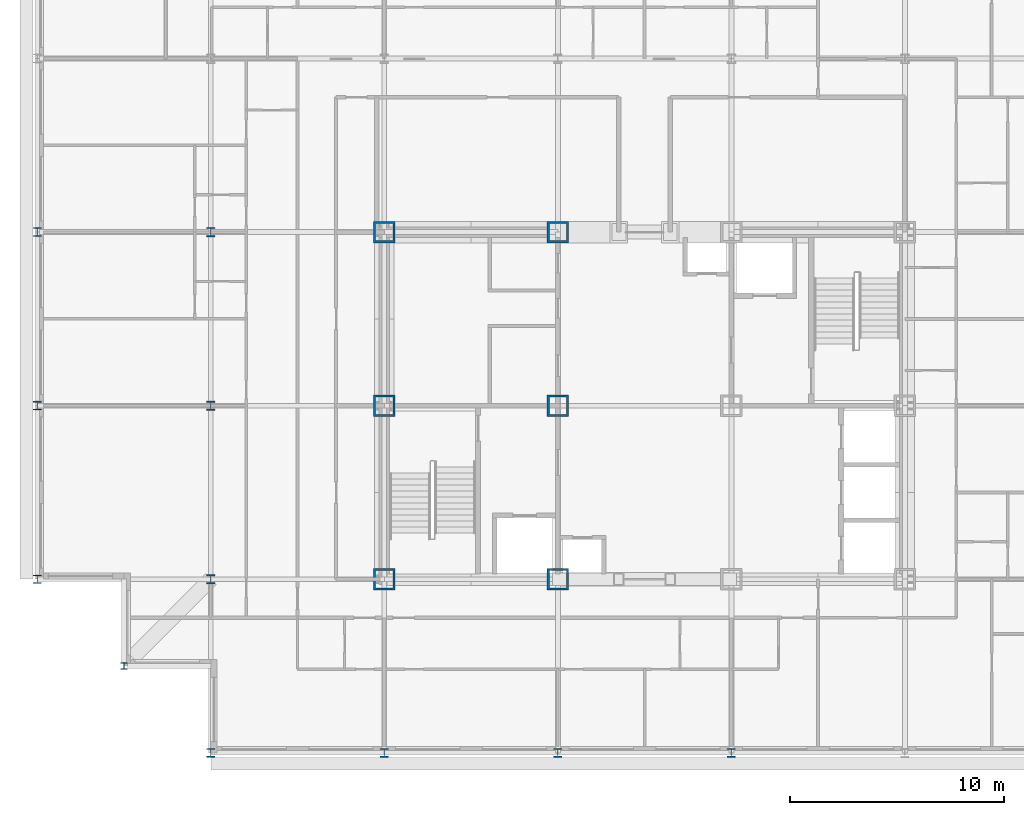
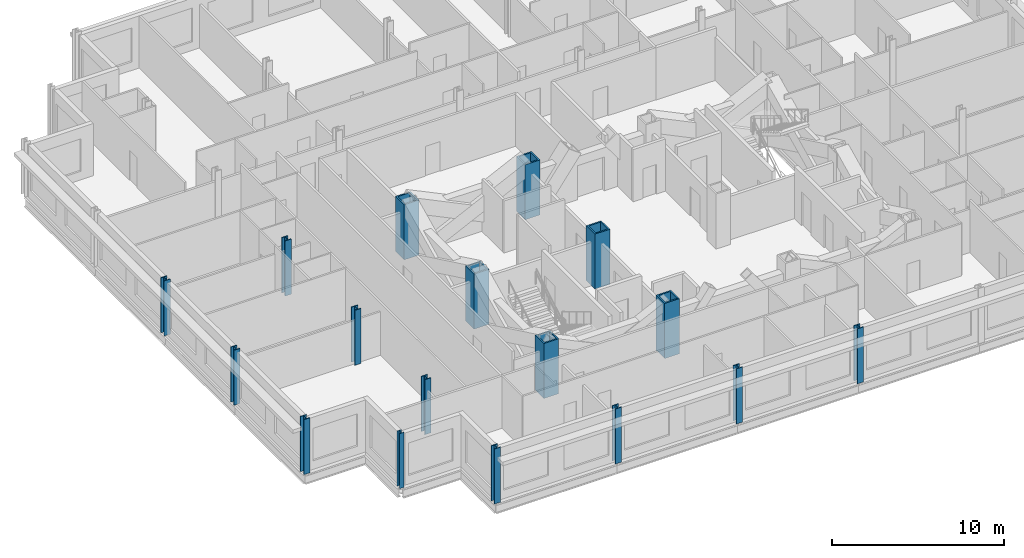
# One storey, part 1 of 15: 17 columns.
"""IFC4 building model written with IfcOpenShell, lengths in metres."""

from ifc_helpers import new_model, si_unit, direction, frame, origin, origin_2d, place, context, subcontext, project, spatial, hollow_rectangle, i_section, extrude, material, material_profile, profile_set, type_object, element, save


model = new_model("IFC4")

# Units and contexts
model_context = context("Model", 3, precision=1e-05, world=origin(), true_north=direction((0.0, 1.0)))
body_context = subcontext(model_context, "Body", "Model", "MODEL_VIEW")
ifc_project = project(units=[si_unit("LENGTHUNIT", "METRE"), si_unit("AREAUNIT", "SQUARE_METRE"), si_unit("VOLUMEUNIT", "CUBIC_METRE"), si_unit("PLANEANGLEUNIT", "RADIAN"), si_unit("MASSUNIT", "GRAM", prefix="KILO")], contexts=[model_context])

# Site, building, storey
site_placement = place(None, origin())
site = spatial("IfcSite", under=ifc_project, at=site_placement, CompositionType="ELEMENT")
building_placement = place(site_placement, origin())
building = spatial("IfcBuilding", under=site, at=building_placement, Name="Kopane Lantern Tower", CompositionType="ELEMENT")
storey_placement = place(building_placement, frame((0.0, 0.0, 285.300048828125)))
storey = spatial("IfcBuildingStorey", under=building, at=storey_placement, Name="L73", CompositionType="ELEMENT", Elevation=285.300048828125)

# Columns
ifc_material_1 = material(Name="Steel S355JR", Category="steel")
ifc_material_profile_1 = material_profile(ifc_material_1, hollow_rectangle(XDim=1.0, YDim=1.0, WallThickness=0.10009765625, at=origin_2d()), Name="BOX 1000x1000x100")
ifc_profile_set_1 = profile_set([ifc_material_profile_1], Name="Steel S355JR")
column_type_1 = type_object("IfcColumnType", Name="COLUMN BOX 1000x1000x100", PredefinedType="COLUMN", material=ifc_profile_set_1)
for number, where, z_axis, x_axis, name in (
    (1, (16.199951171875, 24.300048828125, 0.0), (0.0, 0.0, 1.0), (1.0, 0.0, 0.0), "Column 4/E L73"),
    (2, (16.199951171875, 32.39990234375, 0.0), (0.0, 0.0, 1.0), (1.0, 0.0, 0.0), "Column 4/F L73"),
    (3, (16.199951171875, 40.5, 0.0), (0.0, 0.0, 1.0), (1.0, 0.0, 0.0), "Column 4/G L73"),
    (4, (24.300048828125, 24.300048828125, 0.0), (0.0, 0.0, 1.0), (1.0, 0.0, 0.0), "Column 5/E L73"),
    (5, (24.300048828125, 32.39990234375, 0.0), (0.0, 0.0, 1.0), (1.0, 0.0, 0.0), "Column 5/F L73"),
    (6, (24.300048828125, 40.5, 0.0), (0.0, 0.0, 1.0), (1.0, 0.0, 0.0), "Column 5/G L73"),
):
    element("IfcColumn", number, at=place(storey_placement, frame(where, z_axis=z_axis, x_axis=x_axis)), inside=storey, type_object=column_type_1, Name=name, PredefinedType="COLUMN", context=body_context, shape_type="SweptSolid", body=[
        extrude(hollow_rectangle(XDim=1.0, YDim=1.0, WallThickness=0.10009765625, at=origin_2d()), origin(), (0.0, 0.0, 1.0), 3.89990234375),
    ])
ifc_material_2 = material(Name="Steel S355JR", Category="steel")
ifc_material_profile_2 = material_profile(ifc_material_2, i_section(OverallWidth=0.307373046875, OverallDepth=0.314453125, WebThickness=0.011962890625, FlangeThickness=0.018798828125, FilletRadius=0.01513671875, at=origin_2d()), Name="UC 305x305x118")
ifc_profile_set_2 = profile_set([ifc_material_profile_2], Name="Steel S355JR")
column_type_2 = type_object("IfcColumnType", Name="COLUMN UC 305x305x118", PredefinedType="COLUMN", material=ifc_profile_set_2)
column_placement = place(storey_placement, frame((4.050048828125, 20.25, 0.0), z_axis=(0.0, 0.0, 1.0), x_axis=(1.0, 0.0, 0.0)))
element("IfcColumn", 7, at=column_placement, inside=storey, type_object=column_type_2, Name="Column 4.05/20.25 L73", PredefinedType="COLUMN", context=body_context, shape_type="SweptSolid", body=[
    extrude(i_section(OverallWidth=0.307373046875, OverallDepth=0.314453125, WebThickness=0.011962890625, FlangeThickness=0.018798828125, FilletRadius=0.01513671875, at=origin_2d()), origin(), (0.0, 0.0, 1.0), 3.89990234375),
])
ifc_material_3 = material(Name="Steel S355JR", Category="steel")
ifc_material_profile_3 = material_profile(ifc_material_3, i_section(OverallWidth=0.406982421875, OverallDepth=0.4189453125, WebThickness=0.030517578125, FlangeThickness=0.04931640625, FilletRadius=0.01513671875, at=origin_2d()), Name="UC 356x406x393")
ifc_profile_set_3 = profile_set([ifc_material_profile_3], Name="Steel S355JR")
column_type_3 = type_object("IfcColumnType", Name="COLUMN UC 356x406x393", PredefinedType="COLUMN", material=ifc_profile_set_3)
for number, where, z_axis, x_axis, name in (
    (8, (0.0, 24.300048828125, 0.0), (0.0, 0.0, 1.0), (1.0, 0.0, 0.0), "Column 2/E L73"),
    (9, (0.0, 32.39990234375, 0.0), (0.0, 0.0, 1.0), (1.0, 0.0, 0.0), "Column 2/F L73"),
    (10, (0.0, 40.5, 0.0), (0.0, 0.0, 1.0), (1.0, 0.0, 0.0), "Column 2/G L73"),
    (11, (8.10009765625, 16.199951171875, 0.0), (0.0, 0.0, 1.0), (1.0, 0.0, 0.0), "Column 3/D L73"),
    (12, (16.199951171875, 16.199951171875, 0.0), (0.0, 0.0, 1.0), (1.0, 0.0, 0.0), "Column 4/D L73"),
    (13, (24.300048828125, 16.199951171875, 0.0), (0.0, 0.0, 1.0), (1.0, 0.0, 0.0), "Column 5/D L73"),
    (14, (32.39990234375, 16.199951171875, 0.0), (0.0, 0.0, 1.0), (1.0, 0.0, 0.0), "Column 6/D L73"),
):
    element("IfcColumn", number, at=place(storey_placement, frame(where, z_axis=z_axis, x_axis=x_axis)), inside=storey, type_object=column_type_3, Name=name, PredefinedType="COLUMN", context=body_context, shape_type="SweptSolid", body=[
        extrude(i_section(OverallWidth=0.406982421875, OverallDepth=0.4189453125, WebThickness=0.030517578125, FlangeThickness=0.04931640625, FilletRadius=0.01513671875, at=origin_2d()), origin(), (0.0, 0.0, 1.0), 3.89990234375),
    ])
ifc_material_4 = material(Name="Steel S355JR", Category="steel")
ifc_material_profile_4 = material_profile(ifc_material_4, i_section(OverallWidth=0.412109375, OverallDepth=0.4365234375, WebThickness=0.035888671875, FlangeThickness=0.05810546875, FilletRadius=0.01513671875, at=origin_2d()), Name="UC 356x406x467")
ifc_profile_set_4 = profile_set([ifc_material_profile_4], Name="Steel S355JR")
column_type_4 = type_object("IfcColumnType", Name="COLUMN UC 356x406x467", PredefinedType="COLUMN", material=ifc_profile_set_4)
for number, where, z_axis, x_axis, name in (
    (15, (8.10009765625, 24.300048828125, 0.0), (0.0, 0.0, 1.0), (1.0, 0.0, 0.0), "Column 3/E L73"),
    (16, (8.10009765625, 32.39990234375, 0.0), (0.0, 0.0, 1.0), (1.0, 0.0, 0.0), "Column 3/F L73"),
    (17, (8.10009765625, 40.5, 0.0), (0.0, 0.0, 1.0), (1.0, 0.0, 0.0), "Column 3/G L73"),
):
    element("IfcColumn", number, at=place(storey_placement, frame(where, z_axis=z_axis, x_axis=x_axis)), inside=storey, type_object=column_type_4, Name=name, PredefinedType="COLUMN", context=body_context, shape_type="SweptSolid", body=[
        extrude(i_section(OverallWidth=0.412109375, OverallDepth=0.4365234375, WebThickness=0.035888671875, FlangeThickness=0.05810546875, FilletRadius=0.01513671875, at=origin_2d()), origin(), (0.0, 0.0, 1.0), 3.89990234375),
    ])

save(model, "model.ifc")
